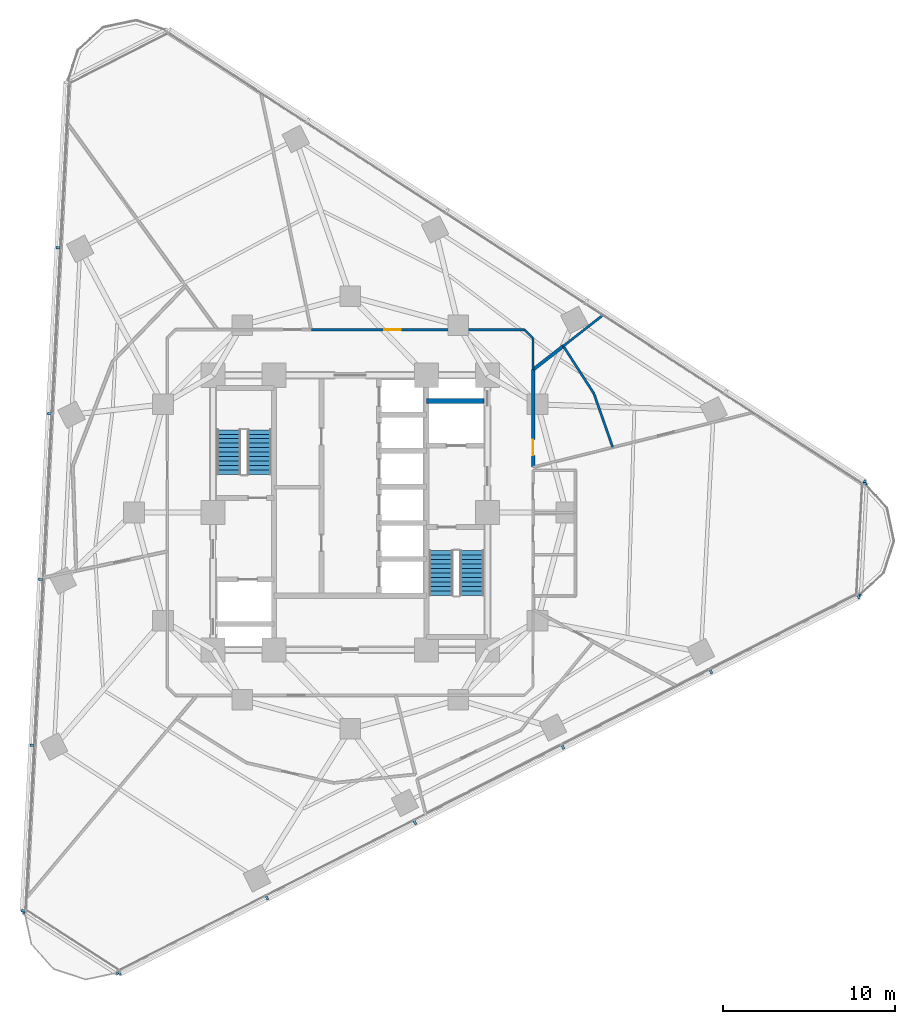
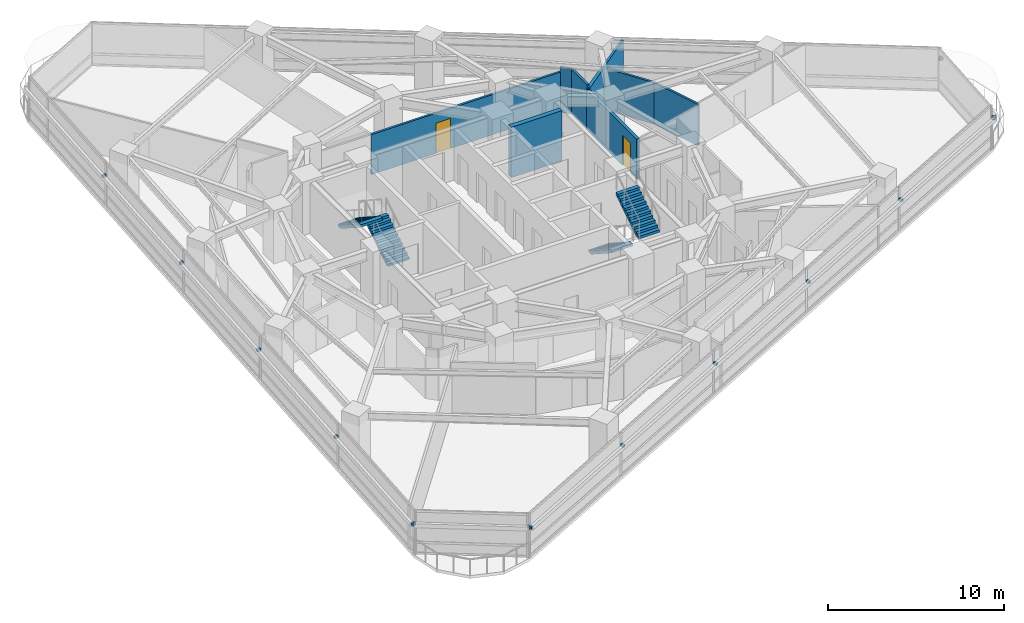
# One storey, part 10 of 14: 16 discrete accessories, 9 walls, 4 stair flights, 2 doors, 2 openings, 2 elements without a shape of their own.
"""IFC4 building model written with IfcOpenShell, lengths in metres."""

from ifc_helpers import new_model, si_unit, direction, frame, frame_2d, origin, origin_2d, place, context, subcontext, project, spatial, polyline, rectangle, outline, extrude, material, layer, layer_set, type_object, element, fill, aggregate, save


model = new_model("IFC4")

# Units and contexts
model_context = context("Model", 3, precision=1e-05, world=origin(), true_north=direction((0.0, 1.0)))
body_context = subcontext(model_context, "Body", "Model", "MODEL_VIEW")
ifc_project = project(units=[si_unit("LENGTHUNIT", "METRE"), si_unit("AREAUNIT", "SQUARE_METRE"), si_unit("VOLUMEUNIT", "CUBIC_METRE"), si_unit("PLANEANGLEUNIT", "RADIAN"), si_unit("MASSUNIT", "GRAM", prefix="KILO")], contexts=[model_context])

# Site, building, storey
site_placement = place(None, origin())
site = spatial("IfcSite", under=ifc_project, at=site_placement, CompositionType="ELEMENT")
building_placement = place(site_placement, origin())
building = spatial("IfcBuilding", under=site, at=building_placement, Name="Terralouvre Media Tower", CompositionType="ELEMENT")
storey_placement = place(building_placement, frame((0.0, 0.0, 123.60009765625)))
storey = spatial("IfcBuildingStorey", under=building, at=storey_placement, Name="L31", CompositionType="ELEMENT", Elevation=123.60009765625)

# Wall
ifc_material_1 = material(Name="Concrete C50/60", Category="concrete")
ifc_layer_1 = layer(ifc_material_1, 0.300048828125, Name="Core Internal Shaft Wall CW-300")
ifc_layer_set_1 = layer_set([ifc_layer_1], Name="Concrete C50/60")
wall_type_1 = type_object("IfcWallType", Name="Core Internal Shaft Wall CW-300", PredefinedType="SHEAR", material=ifc_layer_set_1)
wall_1_placement = place(storey_placement, frame((4.449951171875, 6.5, 0.0), z_axis=(0.0, 0.0, 1.0), x_axis=(1.0, 0.0, 0.0)))
element("IfcWall", 1, at=wall_1_placement, inside=storey, type_object=wall_type_1, Name="L31 Core Shaft Wall FF2N", PredefinedType="SHEAR", context=body_context, shape_type="SweptSolid", body=[
    extrude(rectangle(XDim=3.340087890625, YDim=0.300048828125, at=frame_2d((1.669921875, 0.0))), origin(), (0.0, 0.0, 1.0), 3.5),
])

# Wall, opening, door
ifc_material_2 = material(Name="Fire-rated gypsum board drywall partition")
ifc_layer_2 = layer(ifc_material_2, 0.199951171875, Name="Fire-Rated Shaft and Lobby Partition FW-200")
ifc_layer_set_2 = layer_set([ifc_layer_2], Name="Fire-rated gypsum board drywall partition")
wall_type_2 = type_object("IfcWallType", Name="Fire-Rated Shaft and Lobby Partition FW-200", PredefinedType="SOLIDWALL", material=ifc_layer_set_2)
wall_2_placement = place(storey_placement, frame((10.64990234375, 2.655029296875, 0.0), z_axis=(0.0, 0.0, 1.0), x_axis=(0.0, 1.0, 0.0)))
wall_2 = element("IfcWall", 2, at=wall_2_placement, inside=storey, type_object=wall_type_2, Name="L31 Interior Partition 012", PredefinedType="SOLIDWALL", context=body_context, shape_type="SweptSolid", body=[
    extrude(rectangle(XDim=5.666015625, YDim=0.199951171875, at=frame_2d((2.8330078125, 0.0))), origin(), (0.0, 0.0, 1.0), 2.784912109375),
])
opening_1_placement = place(wall_2_placement, frame((0.673095703125, 0.0, 0.0)))
opening_1 = element("IfcOpeningElement", 3, at=opening_1_placement, cuts=wall_2, Name="Opening FD-05-92X210", PredefinedType="OPENING", context=body_context, shape_type="SweptSolid", body=[
    extrude(rectangle(XDim=0.919921875, YDim=2.10009765625, at=frame_2d((0.4599609375, 1.050048828125))), frame((0.0, 0.10986328125, 0.0), z_axis=(0.0, -1.0, 0.0), x_axis=(1.0, 0.0, 0.0)), (0.0, 0.0, 1.0), 0.219970703125),
])
ifc_material_3 = material(Name="Galvanised steel fire-resisting leaf", Category="steel")
door_type_1 = type_object("IfcDoorType", Name="Core Accessible Closet Fire Door FD-05 (920x2100)", OperationType="NOTDEFINED", PredefinedType="DOOR", material=ifc_material_3)
door_1_placement = place(opening_1_placement, origin())
door_1 = element("IfcDoor", 4, at=door_1_placement, inside=storey, type_object=door_type_1, Name="L31 Broadcast Replay Server Room 8 Door", OperationType="SINGLE_SWING_LEFT", OverallHeight=2.10009765625, OverallWidth=0.919921875, PredefinedType="DOOR", context=body_context, shape_type="SweptSolid", body=[
    extrude(rectangle(XDim=0.919921875, YDim=2.10009765625, at=frame_2d((0.4599609375, 1.050048828125))), frame((0.0, 0.02490234375, 0.0), z_axis=(0.0, -1.0, 0.0), x_axis=(1.0, 0.0, 0.0)), (0.0, 0.0, 1.0), 0.050048828125),
])
fill(opening_1, door_1)

# Walls
wall_3_placement = place(storey_placement, frame((12.416015625, 9.700927734375, 0.0), z_axis=(0.0, 0.0, 1.0), x_axis=(-0.788001252745, -0.615673635681, 0.0)))
element("IfcWall", 5, at=wall_3_placement, inside=storey, type_object=wall_type_2, Name="L31 Interior Partition 045", PredefinedType="SOLIDWALL", context=body_context, shape_type="SweptSolid", body=[
    extrude(rectangle(XDim=2.2412109375, YDim=0.199951171875, at=frame_2d((1.12060546875, 0.0))), origin(), (0.0, 0.0, 1.0), 2.885009765625),
])
ifc_material_4 = material(Name="Fire-rated gypsum board drywall partition")
ifc_layer_3 = layer(ifc_material_4, 0.135009765625, Name="Newsroom Acoustic Partition PT-135")
ifc_layer_set_3 = layer_set([ifc_layer_3], Name="Fire-rated gypsum board drywall partition")
wall_type_3 = type_object("IfcWallType", Name="Newsroom Acoustic Partition PT-135", PredefinedType="PARTITIONING", material=ifc_layer_set_3)
wall_4_placement = place(storey_placement, frame((10.64990234375, 8.321044921875, 0.0), z_axis=(0.0, 0.0, 1.0), x_axis=(0.0, 1.0, 0.0)))
element("IfcWall", 6, at=wall_4_placement, inside=storey, type_object=wall_type_3, Name="L31 Interior Partition 013", PredefinedType="PARTITIONING", context=body_context, shape_type="SweptSolid", body=[
    extrude(rectangle(XDim=1.828857421875, YDim=0.135009765625, at=frame_2d((0.91455078125, 0.0))), origin(), (0.0, 0.0, 1.0), 3.125),
])
wall_5_placement = place(storey_placement, frame((10.64990234375, 10.14990234375, 0.0), z_axis=(0.0, 0.0, 1.0), x_axis=(-0.707106781187, 0.707106781187, 0.0)))
element("IfcWall", 7, at=wall_5_placement, inside=storey, type_object=wall_type_3, Name="L31 Interior Partition 014", PredefinedType="PARTITIONING", context=body_context, shape_type="SweptSolid", body=[
    extrude(rectangle(XDim=0.70703125, YDim=0.135009765625, at=frame_2d((0.353515625, 0.0))), origin(), (0.0, 0.0, 1.0), 3.125),
])

# Wall, opening, door
wall_6_placement = place(storey_placement, frame((10.14990234375, 10.64990234375, 0.0), z_axis=(0.0, 0.0, 1.0), x_axis=(-1.0, 0.0, 0.0)))
wall_6 = element("IfcWall", 8, at=wall_6_placement, inside=storey, type_object=wall_type_3, Name="L31 Interior Partition 015", PredefinedType="PARTITIONING", context=body_context, shape_type="SweptSolid", body=[
    extrude(rectangle(XDim=12.413818359375, YDim=0.135009765625, at=frame_2d((6.20703125, 0.0))), origin(), (0.0, 0.0, 1.0), 2.784912109375),
])
opening_2_placement = place(wall_6_placement, frame((7.2216796875, 0.0, 0.0)))
opening_2 = element("IfcOpeningElement", 9, at=opening_2_placement, cuts=wall_6, Name="Opening ID-02-95X210", PredefinedType="OPENING", context=body_context, shape_type="SweptSolid", body=[
    extrude(rectangle(XDim=0.949951171875, YDim=2.10009765625, at=frame_2d((0.47509765625, 1.050048828125))), frame((0.0, 0.077392578125, 0.0), z_axis=(0.0, -1.0, 0.0), x_axis=(1.0, 0.0, 0.0)), (0.0, 0.0, 1.0), 0.155029296875),
])
ifc_material_5 = material(Name="Engineered hardwood acoustic timber leaf", Category="wood")
door_type_2 = type_object("IfcDoorType", Name="Office and Meeting Room Door ID-02 (950x2100)", OperationType="NOTDEFINED", PredefinedType="DOOR", material=ifc_material_5)
door_2_placement = place(opening_2_placement, origin())
door_2 = element("IfcDoor", 10, at=door_2_placement, inside=storey, type_object=door_type_2, Name="L31 Green-Room Hospitality Lounge 9 Door", OperationType="SINGLE_SWING_RIGHT", OverallHeight=2.10009765625, OverallWidth=0.949951171875, PredefinedType="DOOR", context=body_context, shape_type="SweptSolid", body=[
    extrude(rectangle(XDim=0.949951171875, YDim=2.10009765625, at=frame_2d((0.47509765625, 1.050048828125))), frame((0.0, 0.02490234375, 0.0), z_axis=(0.0, -1.0, 0.0), x_axis=(1.0, 0.0, 0.0)), (0.0, 0.0, 1.0), 0.050048828125),
])
fill(opening_2, door_2)

# Walls
wall_7_placement = place(storey_placement, frame((12.416015625, 9.700927734375, 0.0), z_axis=(0.0, 0.0, 1.0), x_axis=(0.540981963117, -0.841034194062, 0.0)))
element("IfcWall", 11, at=wall_7_placement, inside=storey, type_object=wall_type_3, Name="L31 Interior Partition 042", PredefinedType="PARTITIONING", context=body_context, shape_type="SweptSolid", body=[
    extrude(rectangle(XDim=3.29931640625, YDim=0.135009765625, at=frame_2d((1.649658203125, 0.0))), origin(), (0.0, 0.0, 1.0), 2.885009765625),
])
wall_8_placement = place(storey_placement, frame((14.200927734375, 6.926025390625, 0.0), z_axis=(0.0, 0.0, 1.0), x_axis=(0.329872352593, -0.944025545732, 0.0)))
element("IfcWall", 12, at=wall_8_placement, inside=storey, type_object=wall_type_3, Name="L31 Interior Partition 043", PredefinedType="PARTITIONING", context=body_context, shape_type="SweptSolid", body=[
    extrude(rectangle(XDim=3.298583984375, YDim=0.135009765625, at=frame_2d((1.6494140625, 0.0))), origin(), (0.0, 0.0, 1.0), 2.885009765625),
])
wall_9_placement = place(storey_placement, frame((14.744384765625, 11.52001953125, 0.0), z_axis=(0.0, 0.0, 1.0), x_axis=(-0.788015604839, -0.615655265981, 0.0)))
element("IfcWall", 13, at=wall_9_placement, inside=storey, type_object=wall_type_3, Name="L31 Interior Partition 044", PredefinedType="PARTITIONING", context=body_context, shape_type="SweptSolid", body=[
    extrude(rectangle(XDim=2.954833984375, YDim=0.135009765625, at=frame_2d((1.4775390625, 0.0))), origin(), (0.0, 0.0, 1.0), 2.885009765625),
])

# Stair, stair flights
ifc_material_6 = material(Name="Concrete C45/55", Category="concrete")
stair_type_1 = type_object("IfcStairType", Name="Dogleg Stair Assembly ST-01", PredefinedType="HALF_TURN_STAIR", material=ifc_material_6)
stair_1_placement = place(storey_placement, origin())
stair_1 = element("IfcStair", 14, at=stair_1_placement, inside=storey, type_object=stair_type_1, Name="L31 Core Pressurised Exit Stair ST-01", PredefinedType="HALF_TURN_STAIR")
ifc_material_7 = material(Name="Concrete C45/55", Category="concrete")
stair_flight_type = type_object("IfcStairFlightType", Name="Reinforced Concrete Stair Flight SF-RC1", PredefinedType="STRAIGHT", material=ifc_material_7)
stair_flight_1_placement = place(storey_placement, frame((-5.300048828125, 2.219970703125, 0.0), z_axis=(0.0, 0.0, 1.0), x_axis=(0.0, 1.0, 0.0)))
stair_flight_1 = element("IfcStairFlight", 15, at=stair_flight_1_placement, type_object=stair_flight_type, Name="ST-01 flight 1", NumberOfRisers=11, NumberOfTreads=10, PredefinedType="STRAIGHT", RiserHeight=0.168181818, TreadLength=0.26, context=body_context, shape_type="SweptSolid", body=[
    extrude(outline(polyline([(0.0, 0.0), (0.0, 0.168212890625), (0.260009765625, 0.168212890625), (0.260009765625, 0.33642578125), (0.52001953125, 0.33642578125), (0.52001953125, 0.504638671875), (0.780029296875, 0.504638671875), (0.780029296875, 0.672607421875), (1.0400390625, 0.672607421875), (1.0400390625, 0.8408203125), (1.300048828125, 0.8408203125), (1.300048828125, 1.009033203125), (1.56005859375, 1.009033203125), (1.56005859375, 1.17724609375), (1.820068359375, 1.17724609375), (1.820068359375, 1.345458984375), (2.080078125, 1.345458984375), (2.080078125, 1.513671875), (2.340087890625, 1.513671875), (2.340087890625, 1.681884765625), (2.60009765625, 1.681884765625), (2.60009765625, 1.85009765625), (2.60009765625, 1.503173828125), (0.27587890625, 0.0), (0.0, 0.0)])), frame((0.0, 0.699951171875, 0.0), z_axis=(0.0, -1.0, 0.0), x_axis=(1.0, 0.0, 0.0)), (0.0, 0.0, 1.0), 1.39990234375),
])
stair_flight_2_placement = place(storey_placement, frame((-7.080078125, 4.820068359375, 1.849853515625), z_axis=(0.0, 0.0, 1.0), x_axis=(0.0, -1.0, 0.0)))
stair_flight_2 = element("IfcStairFlight", 16, at=stair_flight_2_placement, type_object=stair_flight_type, Name="ST-01 flight 2", NumberOfRisers=11, NumberOfTreads=10, PredefinedType="STRAIGHT", RiserHeight=0.168181818, TreadLength=0.26, context=body_context, shape_type="SweptSolid", body=[
    extrude(outline(polyline([(0.0, 0.0), (0.0, 0.168212890625), (0.260009765625, 0.168212890625), (0.260009765625, 0.33642578125), (0.52001953125, 0.33642578125), (0.52001953125, 0.504638671875), (0.780029296875, 0.504638671875), (0.780029296875, 0.672607421875), (1.0400390625, 0.672607421875), (1.0400390625, 0.8408203125), (1.300048828125, 0.8408203125), (1.300048828125, 1.009033203125), (1.56005859375, 1.009033203125), (1.56005859375, 1.17724609375), (1.820068359375, 1.17724609375), (1.820068359375, 1.345458984375), (2.080078125, 1.345458984375), (2.080078125, 1.513671875), (2.340087890625, 1.513671875), (2.340087890625, 1.681884765625), (2.60009765625, 1.681884765625), (2.60009765625, 1.85009765625), (2.60009765625, 1.503173828125), (0.27587890625, 0.0), (0.0, 0.0)])), frame((0.0, 0.699951171875, 0.0), z_axis=(0.0, -1.0, 0.0), x_axis=(1.0, 0.0, 0.0)), (0.0, 0.0, 1.0), 1.39990234375),
])
aggregate(stair_1, [stair_flight_1, stair_flight_2])

ifc_material_8 = material(Name="Concrete C45/55", Category="concrete")
stair_type_2 = type_object("IfcStairType", Name="Dogleg Stair Assembly ST-02", PredefinedType="HALF_TURN_STAIR", material=ifc_material_8)
stair_2_placement = place(storey_placement, origin())
stair_2 = element("IfcStair", 17, at=stair_2_placement, inside=storey, type_object=stair_type_2, Name="L31 Core Pressurised Exit Stair ST-02", PredefinedType="HALF_TURN_STAIR")
stair_flight_3_placement = place(storey_placement, frame((5.300048828125, -2.219970703125, 0.0), z_axis=(0.0, 0.0, 1.0), x_axis=(0.0, -1.0, 0.0)))
stair_flight_3 = element("IfcStairFlight", 18, at=stair_flight_3_placement, type_object=stair_flight_type, Name="ST-02 flight 1", NumberOfRisers=11, NumberOfTreads=10, PredefinedType="STRAIGHT", RiserHeight=0.168181818, TreadLength=0.26, context=body_context, shape_type="SweptSolid", body=[
    extrude(outline(polyline([(0.0, 0.0), (0.0, 0.168212890625), (0.260009765625, 0.168212890625), (0.260009765625, 0.33642578125), (0.52001953125, 0.33642578125), (0.52001953125, 0.504638671875), (0.780029296875, 0.504638671875), (0.780029296875, 0.672607421875), (1.0400390625, 0.672607421875), (1.0400390625, 0.8408203125), (1.300048828125, 0.8408203125), (1.300048828125, 1.009033203125), (1.56005859375, 1.009033203125), (1.56005859375, 1.17724609375), (1.820068359375, 1.17724609375), (1.820068359375, 1.345458984375), (2.080078125, 1.345458984375), (2.080078125, 1.513671875), (2.340087890625, 1.513671875), (2.340087890625, 1.681884765625), (2.60009765625, 1.681884765625), (2.60009765625, 1.85009765625), (2.60009765625, 1.503173828125), (0.27587890625, 0.0), (0.0, 0.0)])), frame((0.0, 0.699951171875, 0.0), z_axis=(0.0, -1.0, 0.0), x_axis=(1.0, 0.0, 0.0)), (0.0, 0.0, 1.0), 1.39990234375),
])
stair_flight_4_placement = place(storey_placement, frame((7.080078125, -4.820068359375, 1.849853515625), z_axis=(0.0, 0.0, 1.0), x_axis=(0.0, 1.0, 0.0)))
stair_flight_4 = element("IfcStairFlight", 19, at=stair_flight_4_placement, type_object=stair_flight_type, Name="ST-02 flight 2", NumberOfRisers=11, NumberOfTreads=10, PredefinedType="STRAIGHT", RiserHeight=0.168181818, TreadLength=0.26, context=body_context, shape_type="SweptSolid", body=[
    extrude(outline(polyline([(0.0, 0.0), (0.0, 0.168212890625), (0.260009765625, 0.168212890625), (0.260009765625, 0.33642578125), (0.52001953125, 0.33642578125), (0.52001953125, 0.504638671875), (0.780029296875, 0.504638671875), (0.780029296875, 0.672607421875), (1.0400390625, 0.672607421875), (1.0400390625, 0.8408203125), (1.300048828125, 0.8408203125), (1.300048828125, 1.009033203125), (1.56005859375, 1.009033203125), (1.56005859375, 1.17724609375), (1.820068359375, 1.17724609375), (1.820068359375, 1.345458984375), (2.080078125, 1.345458984375), (2.080078125, 1.513671875), (2.340087890625, 1.513671875), (2.340087890625, 1.681884765625), (2.60009765625, 1.681884765625), (2.60009765625, 1.85009765625), (2.60009765625, 1.503173828125), (0.27587890625, 0.0), (0.0, 0.0)])), frame((0.0, 0.699951171875, 0.0), z_axis=(0.0, -1.0, 0.0), x_axis=(1.0, 0.0, 0.0)), (0.0, 0.0, 1.0), 1.39990234375),
])
aggregate(stair_2, [stair_flight_3, stair_flight_4])

# Discrete accessories
ifc_material_9 = material(Name="Anodised extruded aluminium 6063-T6", Category="aluminium")
discrete_accessory_type = type_object("IfcDiscreteAccessoryType", Name="Mullion Stand-Off Baguette Fixing Bracket BK-01", PredefinedType="BRACKET", material=ifc_material_9)
for number, where, z_axis, x_axis, name in (
    (20, (-13.442626953125, -26.840087890625, 2.07373046875), (0.0, 0.0, 1.0), (0.891006501178, 0.4539905449, 0.0), "CW-L31-F0 Baguette Outrigger Bracket 1.01"),
    (21, (-4.85107421875, -22.46240234375, 2.07373046875), (0.0, 0.0, 1.0), (0.891006501178, 0.4539905449, 0.0), "CW-L31-F0 Baguette Outrigger Bracket 1.02"),
    (22, (3.77392578125, -18.06787109375, 2.07373046875), (0.0, 0.0, 1.0), (0.891006501178, 0.4539905449, 0.0), "CW-L31-F0 Baguette Outrigger Bracket 1.03"),
    (23, (12.39892578125, -13.673095703125, 2.07373046875), (0.0, 0.0, 1.0), (0.891006501178, 0.4539905449, 0.0), "CW-L31-F0 Baguette Outrigger Bracket 1.04"),
    (24, (21.02392578125, -9.278564453125, 2.07373046875), (0.0, 0.0, 1.0), (0.891006501178, 0.4539905449, 0.0), "CW-L31-F0 Baguette Outrigger Bracket 1.05"),
    (25, (29.615478515625, -4.90087890625, 2.07373046875), (0.0, 0.0, 1.0), (0.891006501178, 0.4539905449, 0.0), "CW-L31-F0 Baguette Outrigger Bracket 1.06"),
    (26, (29.96533203125, 1.778564453125, 2.07373046875), (0.0, 0.0, 1.0), (-0.838670588944, 0.544639002681, 0.0), "CW-L31-F1 Baguette Outrigger Bracket 1.01"),
    (27, (-17.027587890625, 15.432373046875, 2.07373046875), (0.0, 0.0, 1.0), (-0.052335949864, -0.998629535089, 0.0), "CW-L31-F2 Baguette Outrigger Bracket 1.02"),
    (28, (-17.5341796875, 5.765625, 2.07373046875), (0.0, 0.0, 1.0), (-0.052335949864, -0.998629535089, 0.0), "CW-L31-F2 Baguette Outrigger Bracket 1.03"),
    (29, (-18.040771484375, -3.901123046875, 2.07373046875), (0.0, 0.0, 1.0), (-0.052335949864, -0.998629535089, 0.0), "CW-L31-F2 Baguette Outrigger Bracket 1.04"),
    (30, (-18.54736328125, -13.56787109375, 2.07373046875), (0.0, 0.0, 1.0), (-0.052335949864, -0.998629535089, 0.0), "CW-L31-F2 Baguette Outrigger Bracket 1.05"),
    (31, (-19.052001953125, -23.197265625, 2.07373046875), (0.0, 0.0, 1.0), (-0.052335949864, -0.998629535089, 0.0), "CW-L31-F2 Baguette Outrigger Bracket 1.06"),
    (32, (-18.993408203125, -23.27392578125, 2.07373046875), (0.0, 0.0, 1.0), (0.838670390568, -0.544639308152, 0.0), "CW-L31-C0 Baguette Outrigger Bracket 1.01"),
    (33, (-13.536376953125, -26.81787109375, 2.07373046875), (0.0, 0.0, 1.0), (0.838670390568, -0.544639308152, 0.0), "CW-L31-C0 Baguette Outrigger Bracket 1.02"),
    (34, (29.652587890625, -4.81201171875, 2.07373046875), (0.0, 0.0, 1.0), (0.052336823006, 0.998629489329, 0.0), "CW-L31-C1 Baguette Outrigger Bracket 1.01"),
    (35, (29.9931640625, 1.68603515625, 2.07373046875), (0.0, 0.0, 1.0), (0.052336823006, 0.998629489329, 0.0), "CW-L31-C1 Baguette Outrigger Bracket 1.02"),
):
    element("IfcDiscreteAccessory", number, at=place(storey_placement, frame(where, z_axis=z_axis, x_axis=x_axis)), inside=storey, type_object=discrete_accessory_type, Name=name, PredefinedType="BRACKET", context=body_context, shape_type="SweptSolid", body=[
        extrude(rectangle(XDim=0.139892578125, YDim=0.239990234375, at=origin_2d()), origin(), (0.0, 0.0, 1.0), 0.179931640625),
    ])

save(model, "model.ifc")
